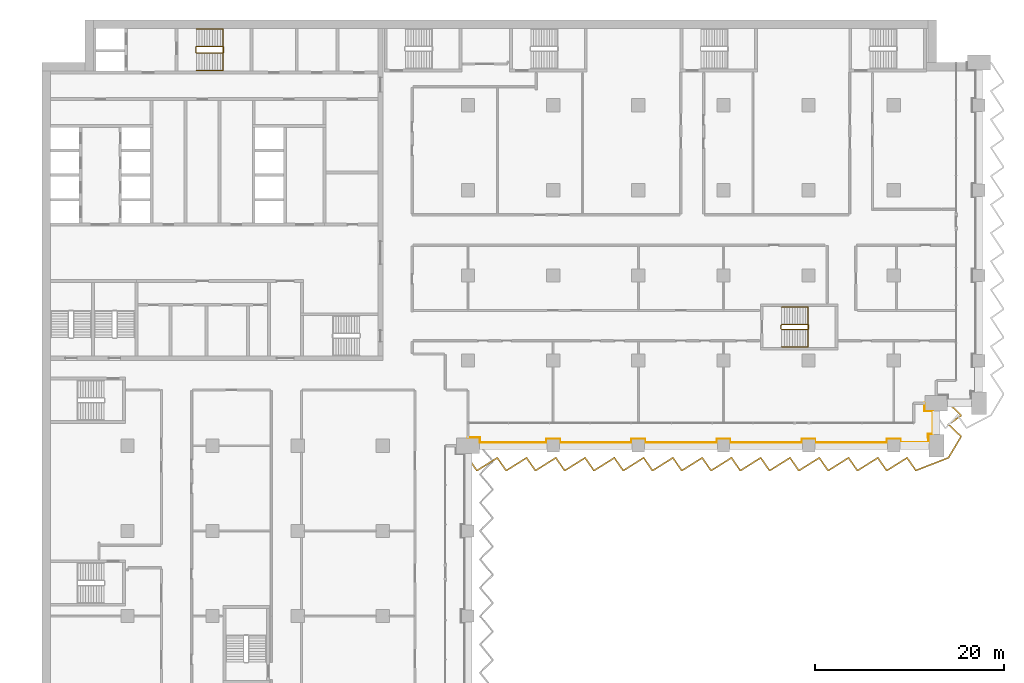
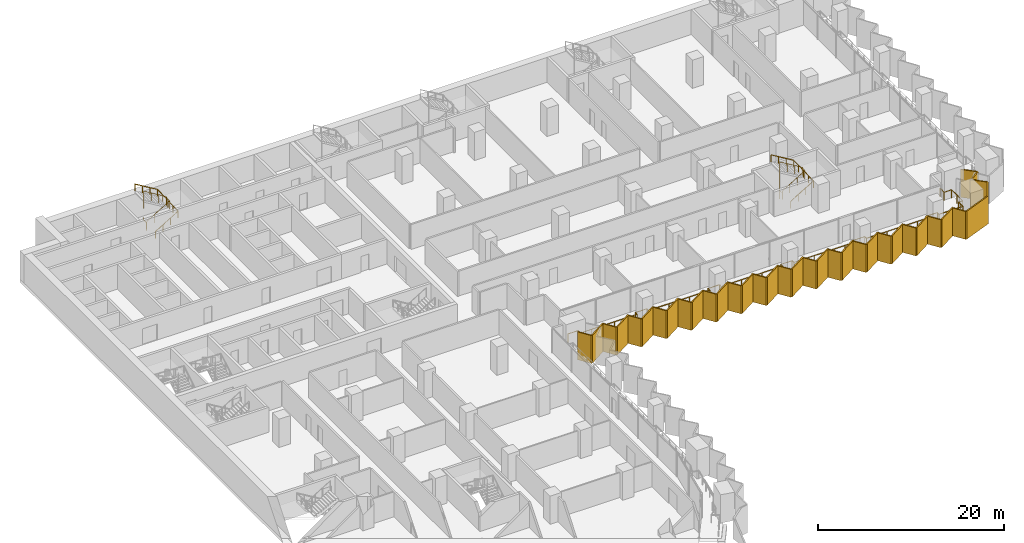
# One storey, part 26 of 28: 5 railings, 1 shading device.
"""IFC4 building model written with IfcOpenShell, lengths in metres."""

from ifc_helpers import new_model, si_unit, direction, frame, origin, origin_2d, place, context, subcontext, project, spatial, polyline, circle, outline, extrude, material, layer, layer_set, type_object, element, save


model = new_model("IFC4")

# Units and contexts
model_context = context("Model", 3, precision=1e-05, world=origin(), true_north=direction((0.0, 1.0)))
body_context = subcontext(model_context, "Body", "Model", "MODEL_VIEW")
ifc_project = project(units=[si_unit("LENGTHUNIT", "METRE"), si_unit("AREAUNIT", "SQUARE_METRE"), si_unit("VOLUMEUNIT", "CUBIC_METRE"), si_unit("PLANEANGLEUNIT", "RADIAN"), si_unit("MASSUNIT", "GRAM", prefix="KILO")], contexts=[model_context])

# Site, building, storey
site_placement = place(None, origin())
site = spatial("IfcSite", under=ifc_project, at=site_placement, CompositionType="ELEMENT")
building_placement = place(site_placement, origin())
building = spatial("IfcBuilding", under=site, at=building_placement, Name="Hunhe Ridgeline Campus", CompositionType="ELEMENT")
storey_placement = place(building_placement, frame((0.0, 0.0, 76.5)))
storey = spatial("IfcBuildingStorey", under=building, at=storey_placement, Name="L18", CompositionType="ELEMENT", Elevation=76.5)

# Railing
ifc_material_1 = material(Name="Steel Q355", Category="steel")
railing_type_1 = type_object("IfcRailingType", Name="Loggia guard 1100 Steel Q355", PredefinedType="GUARDRAIL", material=ifc_material_1)
railing_1_placement = place(storey_placement, frame((45.0, 54.8701171875, 0.0)))
element("IfcRailing", 1, at=railing_1_placement, inside=storey, type_object=railing_type_1, Name="Loggia guard 2", PredefinedType="GUARDRAIL", context=body_context, shape_type="SweptSolid", body=[
    extrude(circle(Radius=0.02392578125, at=origin_2d()), frame((0.0, 0.0, 1.076171875), z_axis=(1.0, 0.0, 0.0), x_axis=(0.0, 1.0, 0.0)), (0.0, 0.0, 1.0), 1.25),
    extrude(circle(Radius=0.02392578125, at=origin_2d()), frame((1.25, 0.0, 1.076171875), z_axis=(0.0, -1.0, 0.0), x_axis=(1.0, 0.0, 0.0)), (0.0, 0.0, 1.0), 0.52001953125),
    extrude(circle(Radius=0.02392578125, at=origin_2d()), frame((1.25, -0.52001953125, 1.076171875), z_axis=(1.0, 0.0, 0.0), x_axis=(0.0, 1.0, 0.0)), (0.0, 0.0, 1.0), 7.050048828125),
    extrude(circle(Radius=0.02392578125, at=origin_2d()), frame((8.300048828125, -0.52001953125, 1.076171875), z_axis=(0.0, 1.0, 0.0), x_axis=(-1.0, 0.0, 0.0)), (0.0, 0.0, 1.0), 0.369873046875),
    extrude(circle(Radius=0.02392578125, at=origin_2d()), frame((8.300048828125, -0.150146484375, 1.076171875), z_axis=(1.0, 0.0, 0.0), x_axis=(0.0, 1.0, 0.0)), (0.0, 0.0, 1.0), 1.39990234375),
    extrude(circle(Radius=0.02392578125, at=origin_2d()), frame((9.699951171875, -0.150146484375, 1.076171875), z_axis=(0.0, -1.0, 0.0), x_axis=(1.0, 0.0, 0.0)), (0.0, 0.0, 1.0), 0.369873046875),
    extrude(circle(Radius=0.02392578125, at=origin_2d()), frame((9.699951171875, -0.52001953125, 1.076171875), z_axis=(1.0, 0.0, 0.0), x_axis=(0.0, 1.0, 0.0)), (0.0, 0.0, 1.0), 7.60009765625),
    extrude(circle(Radius=0.02392578125, at=origin_2d()), frame((17.300048828125, -0.52001953125, 1.076171875), z_axis=(0.0, 1.0, 0.0), x_axis=(-1.0, 0.0, 0.0)), (0.0, 0.0, 1.0), 0.369873046875),
    extrude(circle(Radius=0.02392578125, at=origin_2d()), frame((17.300048828125, -0.150146484375, 1.076171875), z_axis=(1.0, 0.0, 0.0), x_axis=(0.0, 1.0, 0.0)), (0.0, 0.0, 1.0), 1.39990234375),
    extrude(circle(Radius=0.02392578125, at=origin_2d()), frame((18.699951171875, -0.150146484375, 1.076171875), z_axis=(0.0, -1.0, 0.0), x_axis=(1.0, 0.0, 0.0)), (0.0, 0.0, 1.0), 0.369873046875),
    extrude(circle(Radius=0.02392578125, at=origin_2d()), frame((18.699951171875, -0.52001953125, 1.076171875), z_axis=(1.0, 0.0, 0.0), x_axis=(0.0, 1.0, 0.0)), (0.0, 0.0, 1.0), 7.60009765625),
    extrude(circle(Radius=0.02392578125, at=origin_2d()), frame((26.300048828125, -0.52001953125, 1.076171875), z_axis=(0.0, 1.0, 0.0), x_axis=(-1.0, 0.0, 0.0)), (0.0, 0.0, 1.0), 0.369873046875),
    extrude(circle(Radius=0.02392578125, at=origin_2d()), frame((26.300048828125, -0.150146484375, 1.076171875), z_axis=(1.0, 0.0, 0.0), x_axis=(0.0, 1.0, 0.0)), (0.0, 0.0, 1.0), 1.39990234375),
    extrude(circle(Radius=0.02392578125, at=origin_2d()), frame((27.699951171875, -0.150146484375, 1.076171875), z_axis=(0.0, -1.0, 0.0), x_axis=(1.0, 0.0, 0.0)), (0.0, 0.0, 1.0), 0.369873046875),
    extrude(circle(Radius=0.02392578125, at=origin_2d()), frame((27.699951171875, -0.52001953125, 1.076171875), z_axis=(1.0, 0.0, 0.0), x_axis=(0.0, 1.0, 0.0)), (0.0, 0.0, 1.0), 7.60009765625),
    extrude(circle(Radius=0.02392578125, at=origin_2d()), frame((35.300048828125, -0.52001953125, 1.076171875), z_axis=(0.0, 1.0, 0.0), x_axis=(-1.0, 0.0, 0.0)), (0.0, 0.0, 1.0), 0.369873046875),
    extrude(circle(Radius=0.02392578125, at=origin_2d()), frame((35.300048828125, -0.150146484375, 1.076171875), z_axis=(1.0, 0.0, 0.0), x_axis=(0.0, 1.0, 0.0)), (0.0, 0.0, 1.0), 1.39990234375),
    extrude(circle(Radius=0.02392578125, at=origin_2d()), frame((36.699951171875, -0.150146484375, 1.076171875), z_axis=(0.0, -1.0, 0.0), x_axis=(1.0, 0.0, 0.0)), (0.0, 0.0, 1.0), 0.369873046875),
    extrude(circle(Radius=0.02392578125, at=origin_2d()), frame((36.699951171875, -0.52001953125, 1.076171875), z_axis=(1.0, 0.0, 0.0), x_axis=(0.0, 1.0, 0.0)), (0.0, 0.0, 1.0), 7.60009765625),
    extrude(circle(Radius=0.02392578125, at=origin_2d()), frame((44.300048828125, -0.52001953125, 1.076171875), z_axis=(0.0, 1.0, 0.0), x_axis=(-1.0, 0.0, 0.0)), (0.0, 0.0, 1.0), 0.369873046875),
    extrude(circle(Radius=0.02392578125, at=origin_2d()), frame((44.300048828125, -0.150146484375, 1.076171875), z_axis=(1.0, 0.0, 0.0), x_axis=(0.0, 1.0, 0.0)), (0.0, 0.0, 1.0), 1.39990234375),
    extrude(circle(Radius=0.02392578125, at=origin_2d()), frame((45.699951171875, -0.150146484375, 1.076171875), z_axis=(0.0, -1.0, 0.0), x_axis=(1.0, 0.0, 0.0)), (0.0, 0.0, 1.0), 0.369873046875),
    extrude(circle(Radius=0.02392578125, at=origin_2d()), frame((45.699951171875, -0.52001953125, 1.076171875), z_axis=(1.0, 0.0, 0.0), x_axis=(0.0, 1.0, 0.0)), (0.0, 0.0, 1.0), 2.949951171875),
    extrude(circle(Radius=0.02392578125, at=origin_2d()), frame((48.64990234375, -0.52001953125, 1.076171875), z_axis=(0.0, 1.0, 0.0), x_axis=(-1.0, 0.0, 0.0)), (0.0, 0.0, 1.0), 0.919921875),
    extrude(circle(Radius=0.02392578125, at=origin_2d()), frame((48.64990234375, 0.39990234375, 1.076171875), z_axis=(-0.049998438503, -0.998749295943, 0.0), x_axis=(0.998749295943, -0.049998438503, 0.0)), (0.0, 0.0, 1.0), 0.400390625),
    extrude(circle(Radius=0.02392578125, at=origin_2d()), frame((48.6298828125, 0.0, 1.076171875), z_axis=(0.0, 1.0, 0.0), x_axis=(-1.0, 0.0, 0.0)), (0.0, 0.0, 1.0), 0.3798828125),
    extrude(circle(Radius=0.02392578125, at=origin_2d()), frame((48.6298828125, 0.3798828125, 1.076171875), z_axis=(1.0, 0.0, 0.0), x_axis=(0.0, 1.0, 0.0)), (0.0, 0.0, 1.0), 0.52001953125),
    extrude(circle(Radius=0.02392578125, at=origin_2d()), frame((49.14990234375, 0.3798828125, 1.076171875), z_axis=(0.0, 1.0, 0.0), x_axis=(-1.0, 0.0, 0.0)), (0.0, 0.0, 1.0), 2.39990234375),
    extrude(circle(Radius=0.02392578125, at=origin_2d()), frame((49.14990234375, 2.77978515625, 1.076171875), z_axis=(-1.0, 0.0, 0.0), x_axis=(0.0, -1.0, 0.0)), (0.0, 0.0, 1.0), 0.919921875),
    extrude(circle(Radius=0.02392578125, at=origin_2d()), frame((48.22998046875, 2.77978515625, 1.076171875), z_axis=(0.0, 1.0, 0.0), x_axis=(-1.0, 0.0, 0.0)), (0.0, 0.0, 1.0), 0.85009765625),
    extrude(circle(Radius=0.02099609375, at=origin_2d()), origin(), (0.0, 0.0, 1.0), 1.052001953125),
    extrude(circle(Radius=0.02099609375, at=origin_2d()), frame((1.25, 0.0, 0.0)), (0.0, 0.0, 1.0), 1.052001953125),
    extrude(circle(Radius=0.02099609375, at=origin_2d()), frame((1.25, -0.52001953125, 0.0)), (0.0, 0.0, 1.0), 1.052001953125),
    extrude(circle(Radius=0.02099609375, at=origin_2d()), frame((2.659912109375, -0.52001953125, 0.0)), (0.0, 0.0, 1.0), 1.052001953125),
    extrude(circle(Radius=0.02099609375, at=origin_2d()), frame((4.070068359375, -0.52001953125, 0.0)), (0.0, 0.0, 1.0), 1.052001953125),
    extrude(circle(Radius=0.02099609375, at=origin_2d()), frame((5.47998046875, -0.52001953125, 0.0)), (0.0, 0.0, 1.0), 1.052001953125),
    extrude(circle(Radius=0.02099609375, at=origin_2d()), frame((6.89013671875, -0.52001953125, 0.0)), (0.0, 0.0, 1.0), 1.052001953125),
    extrude(circle(Radius=0.02099609375, at=origin_2d()), frame((8.300048828125, -0.52001953125, 0.0)), (0.0, 0.0, 1.0), 1.052001953125),
    extrude(circle(Radius=0.02099609375, at=origin_2d()), frame((8.300048828125, -0.150146484375, 0.0)), (0.0, 0.0, 1.0), 1.052001953125),
    extrude(circle(Radius=0.02099609375, at=origin_2d()), frame((9.699951171875, -0.150146484375, 0.0)), (0.0, 0.0, 1.0), 1.052001953125),
    extrude(circle(Radius=0.02099609375, at=origin_2d()), frame((9.699951171875, -0.52001953125, 0.0)), (0.0, 0.0, 1.0), 1.052001953125),
    extrude(circle(Radius=0.02099609375, at=origin_2d()), frame((10.966552734375, -0.52001953125, 0.0)), (0.0, 0.0, 1.0), 1.052001953125),
    extrude(circle(Radius=0.02099609375, at=origin_2d()), frame((12.2333984375, -0.52001953125, 0.0)), (0.0, 0.0, 1.0), 1.052001953125),
    extrude(circle(Radius=0.02099609375, at=origin_2d()), frame((13.5, -0.52001953125, 0.0)), (0.0, 0.0, 1.0), 1.052001953125),
    extrude(circle(Radius=0.02099609375, at=origin_2d()), frame((14.7666015625, -0.52001953125, 0.0)), (0.0, 0.0, 1.0), 1.052001953125),
    extrude(circle(Radius=0.02099609375, at=origin_2d()), frame((16.033447265625, -0.52001953125, 0.0)), (0.0, 0.0, 1.0), 1.052001953125),
    extrude(circle(Radius=0.02099609375, at=origin_2d()), frame((17.300048828125, -0.52001953125, 0.0)), (0.0, 0.0, 1.0), 1.052001953125),
    extrude(circle(Radius=0.02099609375, at=origin_2d()), frame((17.300048828125, -0.150146484375, 0.0)), (0.0, 0.0, 1.0), 1.052001953125),
    extrude(circle(Radius=0.02099609375, at=origin_2d()), frame((18.699951171875, -0.150146484375, 0.0)), (0.0, 0.0, 1.0), 1.052001953125),
    extrude(circle(Radius=0.02099609375, at=origin_2d()), frame((18.699951171875, -0.52001953125, 0.0)), (0.0, 0.0, 1.0), 1.052001953125),
    extrude(circle(Radius=0.02099609375, at=origin_2d()), frame((19.966552734375, -0.52001953125, 0.0)), (0.0, 0.0, 1.0), 1.052001953125),
    extrude(circle(Radius=0.02099609375, at=origin_2d()), frame((21.2333984375, -0.52001953125, 0.0)), (0.0, 0.0, 1.0), 1.052001953125),
    extrude(circle(Radius=0.02099609375, at=origin_2d()), frame((22.5, -0.52001953125, 0.0)), (0.0, 0.0, 1.0), 1.052001953125),
    extrude(circle(Radius=0.02099609375, at=origin_2d()), frame((23.7666015625, -0.52001953125, 0.0)), (0.0, 0.0, 1.0), 1.052001953125),
    extrude(circle(Radius=0.02099609375, at=origin_2d()), frame((25.033447265625, -0.52001953125, 0.0)), (0.0, 0.0, 1.0), 1.052001953125),
    extrude(circle(Radius=0.02099609375, at=origin_2d()), frame((26.300048828125, -0.52001953125, 0.0)), (0.0, 0.0, 1.0), 1.052001953125),
    extrude(circle(Radius=0.02099609375, at=origin_2d()), frame((26.300048828125, -0.150146484375, 0.0)), (0.0, 0.0, 1.0), 1.052001953125),
    extrude(circle(Radius=0.02099609375, at=origin_2d()), frame((27.699951171875, -0.150146484375, 0.0)), (0.0, 0.0, 1.0), 1.052001953125),
    extrude(circle(Radius=0.02099609375, at=origin_2d()), frame((27.699951171875, -0.52001953125, 0.0)), (0.0, 0.0, 1.0), 1.052001953125),
    extrude(circle(Radius=0.02099609375, at=origin_2d()), frame((28.966552734375, -0.52001953125, 0.0)), (0.0, 0.0, 1.0), 1.052001953125),
    extrude(circle(Radius=0.02099609375, at=origin_2d()), frame((30.2333984375, -0.52001953125, 0.0)), (0.0, 0.0, 1.0), 1.052001953125),
    extrude(circle(Radius=0.02099609375, at=origin_2d()), frame((31.5, -0.52001953125, 0.0)), (0.0, 0.0, 1.0), 1.052001953125),
    extrude(circle(Radius=0.02099609375, at=origin_2d()), frame((32.7666015625, -0.52001953125, 0.0)), (0.0, 0.0, 1.0), 1.052001953125),
    extrude(circle(Radius=0.02099609375, at=origin_2d()), frame((34.033447265625, -0.52001953125, 0.0)), (0.0, 0.0, 1.0), 1.052001953125),
    extrude(circle(Radius=0.02099609375, at=origin_2d()), frame((35.300048828125, -0.52001953125, 0.0)), (0.0, 0.0, 1.0), 1.052001953125),
    extrude(circle(Radius=0.02099609375, at=origin_2d()), frame((35.300048828125, -0.150146484375, 0.0)), (0.0, 0.0, 1.0), 1.052001953125),
    extrude(circle(Radius=0.02099609375, at=origin_2d()), frame((36.699951171875, -0.150146484375, 0.0)), (0.0, 0.0, 1.0), 1.052001953125),
    extrude(circle(Radius=0.02099609375, at=origin_2d()), frame((36.699951171875, -0.52001953125, 0.0)), (0.0, 0.0, 1.0), 1.052001953125),
    extrude(circle(Radius=0.02099609375, at=origin_2d()), frame((37.966552734375, -0.52001953125, 0.0)), (0.0, 0.0, 1.0), 1.052001953125),
    extrude(circle(Radius=0.02099609375, at=origin_2d()), frame((39.2333984375, -0.52001953125, 0.0)), (0.0, 0.0, 1.0), 1.052001953125),
    extrude(circle(Radius=0.02099609375, at=origin_2d()), frame((40.5, -0.52001953125, 0.0)), (0.0, 0.0, 1.0), 1.052001953125),
    extrude(circle(Radius=0.02099609375, at=origin_2d()), frame((41.7666015625, -0.52001953125, 0.0)), (0.0, 0.0, 1.0), 1.052001953125),
    extrude(circle(Radius=0.02099609375, at=origin_2d()), frame((43.033447265625, -0.52001953125, 0.0)), (0.0, 0.0, 1.0), 1.052001953125),
    extrude(circle(Radius=0.02099609375, at=origin_2d()), frame((44.300048828125, -0.52001953125, 0.0)), (0.0, 0.0, 1.0), 1.052001953125),
    extrude(circle(Radius=0.02099609375, at=origin_2d()), frame((44.300048828125, -0.150146484375, 0.0)), (0.0, 0.0, 1.0), 1.052001953125),
    extrude(circle(Radius=0.02099609375, at=origin_2d()), frame((45.699951171875, -0.150146484375, 0.0)), (0.0, 0.0, 1.0), 1.052001953125),
    extrude(circle(Radius=0.02099609375, at=origin_2d()), frame((45.699951171875, -0.52001953125, 0.0)), (0.0, 0.0, 1.0), 1.052001953125),
    extrude(circle(Radius=0.02099609375, at=origin_2d()), frame((47.1748046875, -0.52001953125, 0.0)), (0.0, 0.0, 1.0), 1.052001953125),
    extrude(circle(Radius=0.02099609375, at=origin_2d()), frame((48.64990234375, -0.52001953125, 0.0)), (0.0, 0.0, 1.0), 1.052001953125),
    extrude(circle(Radius=0.02099609375, at=origin_2d()), frame((48.64990234375, 0.39990234375, 0.0)), (0.0, 0.0, 1.0), 1.052001953125),
    extrude(circle(Radius=0.02099609375, at=origin_2d()), frame((48.6298828125, 0.0, 0.0)), (0.0, 0.0, 1.0), 1.052001953125),
    extrude(circle(Radius=0.02099609375, at=origin_2d()), frame((48.6298828125, 0.3798828125, 0.0)), (0.0, 0.0, 1.0), 1.052001953125),
    extrude(circle(Radius=0.02099609375, at=origin_2d()), frame((49.14990234375, 0.3798828125, 0.0)), (0.0, 0.0, 1.0), 1.052001953125),
    extrude(circle(Radius=0.02099609375, at=origin_2d()), frame((49.14990234375, 1.579833984375, 0.0)), (0.0, 0.0, 1.0), 1.052001953125),
    extrude(circle(Radius=0.02099609375, at=origin_2d()), frame((49.14990234375, 2.77978515625, 0.0)), (0.0, 0.0, 1.0), 1.052001953125),
    extrude(circle(Radius=0.02099609375, at=origin_2d()), frame((48.22998046875, 2.77978515625, 0.0)), (0.0, 0.0, 1.0), 1.052001953125),
    extrude(circle(Radius=0.02099609375, at=origin_2d()), frame((48.22998046875, 3.6298828125, 0.0)), (0.0, 0.0, 1.0), 1.052001953125),
])

# Shading device
ifc_material_2 = material(Name="Concrete C50", Category="concrete")
ifc_layer = layer(ifc_material_2, 0.14990234375)
ifc_layer_set = layer_set([ifc_layer], Name="Sawtooth concrete fin 150 Concrete C50")
shading_device_type = type_object("IfcShadingDeviceType", Name="Sawtooth concrete fin 150 Concrete C50", PredefinedType="USERDEFINED", material=ifc_layer_set)
shading_device_placement = place(storey_placement, frame((0.0, 0.0, -0.949951171875)))
element("IfcShadingDevice", 2, at=shading_device_placement, inside=storey, type_object=shading_device_type, Name="Concrete fin screen 2", ObjectType="FIN", PredefinedType="USERDEFINED", context=body_context, shape_type="SweptSolid", body=[
    extrude(outline(polyline([(45.0615234375, 52.767822265625), (44.9384765625, 52.68212890625), (45.863525390625, 51.35009765625), (46.044189453125, 51.35009765625), (48.072998046875, 52.623291015625), (48.957275390625, 51.35009765625), (49.137939453125, 51.35009765625), (51.166748046875, 52.623291015625), (52.051025390625, 51.35009765625), (52.231689453125, 51.35009765625), (54.260498046875, 52.623291015625), (55.144775390625, 51.35009765625), (55.325439453125, 51.35009765625), (57.354248046875, 52.623291015625), (58.238525390625, 51.35009765625), (58.419189453125, 51.35009765625), (60.447998046875, 52.623291015625), (61.332275390625, 51.35009765625), (61.512939453125, 51.35009765625), (63.541748046875, 52.623291015625), (64.426025390625, 51.35009765625), (64.606689453125, 51.35009765625), (66.635498046875, 52.623291015625), (67.519775390625, 51.35009765625), (67.700439453125, 51.35009765625), (69.729248046875, 52.623291015625), (70.613525390625, 51.35009765625), (70.794189453125, 51.35009765625), (72.822998046875, 52.623291015625), (73.707275390625, 51.35009765625), (73.887939453125, 51.35009765625), (75.916748046875, 52.623291015625), (76.801025390625, 51.35009765625), (76.981689453125, 51.35009765625), (79.010498046875, 52.623291015625), (79.894775390625, 51.35009765625), (80.075439453125, 51.35009765625), (82.104248046875, 52.623291015625), (82.988525390625, 51.35009765625), (83.169189453125, 51.35009765625), (85.197998046875, 52.623291015625), (86.082275390625, 51.35009765625), (86.262939453125, 51.35009765625), (88.291748046875, 52.623291015625), (89.176025390625, 51.35009765625), (89.356689453125, 51.35009765625), (91.385498046875, 52.623291015625), (92.269775390625, 51.35009765625), (92.44287109375, 51.35009765625), (95.826171875, 52.664306640625), (97.14990234375, 54.882080078125), (97.14990234375, 55.054931640625), (95.893798828125, 56.2412109375), (97.14990234375, 57.113525390625), (97.14990234375, 57.304931640625), (95.826416015625, 58.554443359375), (95.7236328125, 58.445556640625), (97.0, 57.240234375), (97.0, 57.19189453125), (95.65625, 56.2587890625), (97.0, 54.990234375), (97.0, 54.92333984375), (95.723876953125, 52.78564453125), (92.414794921875, 51.5), (92.34814453125, 51.5), (91.427001953125, 52.82666015625), (89.3134765625, 51.5), (89.25439453125, 51.5), (88.333251953125, 52.82666015625), (86.2197265625, 51.5), (86.16064453125, 51.5), (85.239501953125, 52.82666015625), (83.1259765625, 51.5), (83.06689453125, 51.5), (82.145751953125, 52.82666015625), (80.0322265625, 51.5), (79.97314453125, 51.5), (79.052001953125, 52.82666015625), (76.9384765625, 51.5), (76.87939453125, 51.5), (75.958251953125, 52.82666015625), (73.8447265625, 51.5), (73.78564453125, 51.5), (72.864501953125, 52.82666015625), (70.7509765625, 51.5), (70.69189453125, 51.5), (69.770751953125, 52.82666015625), (67.6572265625, 51.5), (67.59814453125, 51.5), (66.677001953125, 52.82666015625), (64.5634765625, 51.5), (64.50439453125, 51.5), (63.583251953125, 52.82666015625), (61.4697265625, 51.5), (61.41064453125, 51.5), (60.489501953125, 52.82666015625), (58.3759765625, 51.5), (58.31689453125, 51.5), (57.395751953125, 52.82666015625), (55.2822265625, 51.5), (55.22314453125, 51.5), (54.302001953125, 52.82666015625), (52.1884765625, 51.5), (52.12939453125, 51.5), (51.208251953125, 52.82666015625), (49.0947265625, 51.5), (49.03564453125, 51.5), (48.114501953125, 52.82666015625), (46.0009765625, 51.5), (45.94189453125, 51.5), (45.0615234375, 52.767822265625)])), origin(), (0.0, 0.0, 1.0), 3.64990234375),
])

# Railings
ifc_material_3 = material(Name="Stainless steel balustrade", Category="steel")
railing_type_2 = type_object("IfcRailingType", Name="Stair guard 1100 stainless", PredefinedType="GUARDRAIL", material=ifc_material_3)
railing_2_placement = place(storey_placement, frame((16.300048828125, 95.5, 0.168212890625)))
element("IfcRailing", 3, at=railing_2_placement, inside=storey, type_object=railing_type_2, Name="L18 stair S1 guard", PredefinedType="GUARDRAIL", context=body_context, shape_type="SweptSolid", body=[
    extrude(circle(Radius=0.02392578125, at=origin_2d()), frame((0.0, 0.0, 1.076171875), z_axis=(0.857242210791, 0.0, 0.514913383045), x_axis=(0.0, 1.0, 0.0)), (0.0, 0.0, 1.0), 3.266357421875),
    extrude(circle(Radius=0.02392578125, at=origin_2d()), frame((2.800048828125, 0.0, 2.7578125), z_axis=(0.705375805398, 0.708833529934, 0.0), x_axis=(-0.708833529934, 0.705375805398, 0.0)), (0.0, 0.0, 1.0), 0.070556640625),
    extrude(circle(Radius=0.02392578125, at=origin_2d()), frame((2.849853515625, 0.050048828125, 2.7578125), z_axis=(0.0, 1.0, 0.0), x_axis=(-1.0, 0.0, 0.0)), (0.0, 0.0, 1.0), 0.599853515625),
    extrude(circle(Radius=0.02392578125, at=origin_2d()), frame((2.849853515625, 0.64990234375, 2.7578125), z_axis=(-0.273343290215, 0.274683208305, 0.921863645432), x_axis=(-0.708833529934, -0.705375805398, 0.0)), (0.0, 0.0, 1.0), 0.18212890625),
    extrude(circle(Radius=0.02392578125, at=origin_2d()), frame((2.800048828125, 0.699951171875, 2.92578125), z_axis=(-0.857242210791, 0.0, 0.514913383045), x_axis=(0.0, -1.0, 0.0)), (0.0, 0.0, 1.0), 3.266357421875),
    extrude(circle(Radius=0.02392578125, at=origin_2d()), frame((0.0, 0.699951171875, 4.60791015625), z_axis=(-0.013524414389, -0.013524414389, -0.999817073484), x_axis=(0.707106781187, -0.707106781187, 0.0)), (0.0, 0.0, 1.0), 3.70068359375),
    extrude(circle(Radius=0.02392578125, at=origin_2d()), frame((-0.050048828125, 0.64990234375, 0.90771484375), z_axis=(0.0, -1.0, 0.0), x_axis=(1.0, 0.0, 0.0)), (0.0, 0.0, 1.0), 0.599853515625),
    extrude(circle(Radius=0.02099609375, at=origin_2d()), origin(), (0.0, 0.0, 1.0), 1.052001953125),
    extrude(circle(Radius=0.02099609375, at=origin_2d()), frame((0.933349609375, 0.0, 0.560546875)), (0.0, 0.0, 1.0), 1.052001953125),
    extrude(circle(Radius=0.02099609375, at=origin_2d()), frame((1.86669921875, 0.0, 1.121337890625)), (0.0, 0.0, 1.0), 1.052001953125),
    extrude(circle(Radius=0.02099609375, at=origin_2d()), frame((2.800048828125, 0.0, 1.681884765625)), (0.0, 0.0, 1.0), 1.052001953125),
    extrude(circle(Radius=0.02099609375, at=origin_2d()), frame((2.849853515625, 0.050048828125, 1.681884765625)), (0.0, 0.0, 1.0), 1.052001953125),
    extrude(circle(Radius=0.02099609375, at=origin_2d()), frame((2.849853515625, 0.64990234375, 1.681884765625)), (0.0, 0.0, 1.0), 1.052001953125),
    extrude(circle(Radius=0.02099609375, at=origin_2d()), frame((2.800048828125, 0.699951171875, 1.849853515625)), (0.0, 0.0, 1.0), 1.052001953125),
    extrude(circle(Radius=0.02099609375, at=origin_2d()), frame((1.86669921875, 0.699951171875, 2.410400390625)), (0.0, 0.0, 1.0), 1.052001953125),
    extrude(circle(Radius=0.02099609375, at=origin_2d()), frame((0.933349609375, 0.699951171875, 2.97119140625)), (0.0, 0.0, 1.0), 1.052001953125),
    extrude(circle(Radius=0.02099609375, at=origin_2d()), frame((0.0, 0.699951171875, 3.53173828125)), (0.0, 0.0, 1.0), 1.052001953125),
    extrude(circle(Radius=0.02099609375, at=origin_2d()), frame((-0.012451171875, 0.6875, 2.606689453125)), (0.0, 0.0, 1.0), 1.052001953125),
    extrude(circle(Radius=0.02099609375, at=origin_2d()), frame((-0.02490234375, 0.6748046875, 1.681640625)), (0.0, 0.0, 1.0), 1.052001953125),
    extrude(circle(Radius=0.02099609375, at=origin_2d()), frame((-0.03759765625, 0.662353515625, 0.7568359375)), (0.0, 0.0, 1.0), 1.052001953125),
    extrude(circle(Radius=0.02099609375, at=origin_2d()), frame((-0.050048828125, 0.64990234375, -0.168212890625)), (0.0, 0.0, 1.0), 1.052001953125),
    extrude(circle(Radius=0.02099609375, at=origin_2d()), frame((-0.050048828125, 0.050048828125, -0.168212890625)), (0.0, 0.0, 1.0), 1.052001953125),
])
railing_3_placement = place(storey_placement, frame((78.14990234375, 66.300048828125, 0.168212890625)))
element("IfcRailing", 4, at=railing_3_placement, inside=storey, type_object=railing_type_2, Name="L18 stair E5 guard", PredefinedType="GUARDRAIL", context=body_context, shape_type="SweptSolid", body=[
    extrude(circle(Radius=0.02392578125, at=origin_2d()), frame((0.0, 0.0, 1.076171875), z_axis=(0.857242210791, 0.0, 0.514913383045), x_axis=(0.0, 1.0, 0.0)), (0.0, 0.0, 1.0), 3.266357421875),
    extrude(circle(Radius=0.02392578125, at=origin_2d()), frame((2.800048828125, 0.0, 2.7578125), z_axis=(0.707106781187, 0.707106781187, 0.0), x_axis=(-0.707106781187, 0.707106781187, 0.0)), (0.0, 0.0, 1.0), 0.07080078125),
    extrude(circle(Radius=0.02392578125, at=origin_2d()), frame((2.85009765625, 0.050048828125, 2.7578125), z_axis=(0.0, 1.0, 0.0), x_axis=(-1.0, 0.0, 0.0)), (0.0, 0.0, 1.0), 0.39990234375),
    extrude(circle(Radius=0.02392578125, at=origin_2d()), frame((2.85009765625, 0.449951171875, 2.7578125), z_axis=(-0.274582412415, 0.274582412415, 0.921525364591), x_axis=(-0.707106781187, -0.707106781187, 0.0)), (0.0, 0.0, 1.0), 0.182373046875),
    extrude(circle(Radius=0.02392578125, at=origin_2d()), frame((2.800048828125, 0.5, 2.92578125), z_axis=(-0.857242210791, 0.0, 0.514913383045), x_axis=(0.0, -1.0, 0.0)), (0.0, 0.0, 1.0), 3.266357421875),
    extrude(circle(Radius=0.02392578125, at=origin_2d()), frame((0.0, 0.5, 4.60791015625), z_axis=(-0.013458453615, -0.013524426427, -0.999817963389), x_axis=(0.708833529934, -0.705375805398, 0.0)), (0.0, 0.0, 1.0), 3.70068359375),
    extrude(circle(Radius=0.02392578125, at=origin_2d()), frame((-0.0498046875, 0.449951171875, 0.90771484375), z_axis=(0.0, -1.0, 0.0), x_axis=(1.0, 0.0, 0.0)), (0.0, 0.0, 1.0), 0.39990234375),
    extrude(circle(Radius=0.02099609375, at=origin_2d()), origin(), (0.0, 0.0, 1.0), 1.052001953125),
    extrude(circle(Radius=0.02099609375, at=origin_2d()), frame((0.933349609375, 0.0, 0.560546875)), (0.0, 0.0, 1.0), 1.052001953125),
    extrude(circle(Radius=0.02099609375, at=origin_2d()), frame((1.86669921875, 0.0, 1.121337890625)), (0.0, 0.0, 1.0), 1.052001953125),
    extrude(circle(Radius=0.02099609375, at=origin_2d()), frame((2.800048828125, 0.0, 1.681884765625)), (0.0, 0.0, 1.0), 1.052001953125),
    extrude(circle(Radius=0.02099609375, at=origin_2d()), frame((2.85009765625, 0.050048828125, 1.681884765625)), (0.0, 0.0, 1.0), 1.052001953125),
    extrude(circle(Radius=0.02099609375, at=origin_2d()), frame((2.85009765625, 0.449951171875, 1.681884765625)), (0.0, 0.0, 1.0), 1.052001953125),
    extrude(circle(Radius=0.02099609375, at=origin_2d()), frame((2.800048828125, 0.5, 1.849853515625)), (0.0, 0.0, 1.0), 1.052001953125),
    extrude(circle(Radius=0.02099609375, at=origin_2d()), frame((1.86669921875, 0.5, 2.410400390625)), (0.0, 0.0, 1.0), 1.052001953125),
    extrude(circle(Radius=0.02099609375, at=origin_2d()), frame((0.933349609375, 0.5, 2.97119140625)), (0.0, 0.0, 1.0), 1.052001953125),
    extrude(circle(Radius=0.02099609375, at=origin_2d()), frame((0.0, 0.5, 3.53173828125)), (0.0, 0.0, 1.0), 1.052001953125),
    extrude(circle(Radius=0.02099609375, at=origin_2d()), frame((-0.012451171875, 0.487548828125, 2.606689453125)), (0.0, 0.0, 1.0), 1.052001953125),
    extrude(circle(Radius=0.02099609375, at=origin_2d()), frame((-0.02490234375, 0.47509765625, 1.681640625)), (0.0, 0.0, 1.0), 1.052001953125),
    extrude(circle(Radius=0.02099609375, at=origin_2d()), frame((-0.037353515625, 0.46240234375, 0.7568359375)), (0.0, 0.0, 1.0), 1.052001953125),
    extrude(circle(Radius=0.02099609375, at=origin_2d()), frame((-0.0498046875, 0.449951171875, -0.168212890625)), (0.0, 0.0, 1.0), 1.052001953125),
    extrude(circle(Radius=0.02099609375, at=origin_2d()), frame((-0.0498046875, 0.050048828125, -0.168212890625)), (0.0, 0.0, 1.0), 1.052001953125),
])
ifc_material_4 = material(Name="Stainless steel handrail", Category="steel")
railing_type_3 = type_object("IfcRailingType", Name="Stair handrail 900 stainless", PredefinedType="HANDRAIL", material=ifc_material_4)
railing_4_placement = place(storey_placement, frame((16.300048828125, 93.64990234375, 0.168212890625)))
element("IfcRailing", 5, at=railing_4_placement, inside=storey, type_object=railing_type_3, Name="L18 stair S1 handrail", PredefinedType="HANDRAIL", context=body_context, shape_type="SweptSolid", body=[
    extrude(circle(Radius=0.02392578125, at=origin_2d()), frame((0.0, 0.0, 0.8759765625), z_axis=(0.857242210791, 0.0, 0.514913383045), x_axis=(0.0, 1.0, 0.0)), (0.0, 0.0, 1.0), 3.266357421875),
    extrude(circle(Radius=0.02392578125, at=origin_2d()), frame((2.800048828125, 0.0, 2.5576171875), z_axis=(0.0, 0.999272189381, 0.038145662004), x_axis=(-1.0, 0.0, 0.0)), (0.0, 0.0, 1.0), 4.4033203125),
    extrude(circle(Radius=0.02392578125, at=origin_2d()), frame((2.800048828125, 4.400146484375, 2.7255859375), z_axis=(-0.857242210791, 0.0, 0.514913383045), x_axis=(0.0, -1.0, 0.0)), (0.0, 0.0, 1.0), 3.266357421875),
    extrude(circle(Radius=0.02099609375, at=origin_2d()), origin(), (0.0, 0.0, 1.0), 0.851806640625),
    extrude(circle(Radius=0.02099609375, at=origin_2d()), frame((0.933349609375, 0.0, 0.560546875)), (0.0, 0.0, 1.0), 0.851806640625),
    extrude(circle(Radius=0.02099609375, at=origin_2d()), frame((1.86669921875, 0.0, 1.121337890625)), (0.0, 0.0, 1.0), 0.851806640625),
    extrude(circle(Radius=0.02099609375, at=origin_2d()), frame((2.800048828125, 0.0, 1.681884765625)), (0.0, 0.0, 1.0), 0.851806640625),
    extrude(circle(Radius=0.02099609375, at=origin_2d()), frame((2.800048828125, 1.10009765625, 1.723876953125)), (0.0, 0.0, 1.0), 0.851806640625),
    extrude(circle(Radius=0.02099609375, at=origin_2d()), frame((2.800048828125, 2.2001953125, 1.765869140625)), (0.0, 0.0, 1.0), 0.851806640625),
    extrude(circle(Radius=0.02099609375, at=origin_2d()), frame((2.800048828125, 3.300048828125, 1.807861328125)), (0.0, 0.0, 1.0), 0.851806640625),
    extrude(circle(Radius=0.02099609375, at=origin_2d()), frame((2.800048828125, 4.400146484375, 1.849853515625)), (0.0, 0.0, 1.0), 0.851806640625),
    extrude(circle(Radius=0.02099609375, at=origin_2d()), frame((1.86669921875, 4.400146484375, 2.410400390625)), (0.0, 0.0, 1.0), 0.851806640625),
    extrude(circle(Radius=0.02099609375, at=origin_2d()), frame((0.933349609375, 4.400146484375, 2.97119140625)), (0.0, 0.0, 1.0), 0.851806640625),
    extrude(circle(Radius=0.02099609375, at=origin_2d()), frame((0.0, 4.400146484375, 3.53173828125)), (0.0, 0.0, 1.0), 0.851806640625),
])
railing_5_placement = place(storey_placement, frame((78.14990234375, 64.449951171875, 0.168212890625)))
element("IfcRailing", 6, at=railing_5_placement, inside=storey, type_object=railing_type_3, Name="L18 stair E5 handrail", PredefinedType="HANDRAIL", context=body_context, shape_type="SweptSolid", body=[
    extrude(circle(Radius=0.02392578125, at=origin_2d()), frame((0.0, 0.0, 0.8759765625), z_axis=(0.857242210791, 0.0, 0.514913383045), x_axis=(0.0, 1.0, 0.0)), (0.0, 0.0, 1.0), 3.266357421875),
    extrude(circle(Radius=0.02392578125, at=origin_2d()), frame((2.800048828125, 0.0, 2.5576171875), z_axis=(0.0, 0.99920123705, 0.039961079526), x_axis=(-1.0, 0.0, 0.0)), (0.0, 0.0, 1.0), 4.203369140625),
    extrude(circle(Radius=0.02392578125, at=origin_2d()), frame((2.800048828125, 4.199951171875, 2.7255859375), z_axis=(-0.857242210791, 0.0, 0.514913383045), x_axis=(0.0, -1.0, 0.0)), (0.0, 0.0, 1.0), 3.266357421875),
    extrude(circle(Radius=0.02099609375, at=origin_2d()), origin(), (0.0, 0.0, 1.0), 0.851806640625),
    extrude(circle(Radius=0.02099609375, at=origin_2d()), frame((0.933349609375, 0.0, 0.560546875)), (0.0, 0.0, 1.0), 0.851806640625),
    extrude(circle(Radius=0.02099609375, at=origin_2d()), frame((1.86669921875, 0.0, 1.121337890625)), (0.0, 0.0, 1.0), 0.851806640625),
    extrude(circle(Radius=0.02099609375, at=origin_2d()), frame((2.800048828125, 0.0, 1.681884765625)), (0.0, 0.0, 1.0), 0.851806640625),
    extrude(circle(Radius=0.02099609375, at=origin_2d()), frame((2.800048828125, 1.050048828125, 1.723876953125)), (0.0, 0.0, 1.0), 0.851806640625),
    extrude(circle(Radius=0.02099609375, at=origin_2d()), frame((2.800048828125, 2.10009765625, 1.765869140625)), (0.0, 0.0, 1.0), 0.851806640625),
    extrude(circle(Radius=0.02099609375, at=origin_2d()), frame((2.800048828125, 3.14990234375, 1.807861328125)), (0.0, 0.0, 1.0), 0.851806640625),
    extrude(circle(Radius=0.02099609375, at=origin_2d()), frame((2.800048828125, 4.199951171875, 1.849853515625)), (0.0, 0.0, 1.0), 0.851806640625),
    extrude(circle(Radius=0.02099609375, at=origin_2d()), frame((1.86669921875, 4.199951171875, 2.410400390625)), (0.0, 0.0, 1.0), 0.851806640625),
    extrude(circle(Radius=0.02099609375, at=origin_2d()), frame((0.933349609375, 4.199951171875, 2.97119140625)), (0.0, 0.0, 1.0), 0.851806640625),
    extrude(circle(Radius=0.02099609375, at=origin_2d()), frame((0.0, 4.199951171875, 3.53173828125)), (0.0, 0.0, 1.0), 0.851806640625),
])

save(model, "model.ifc")
